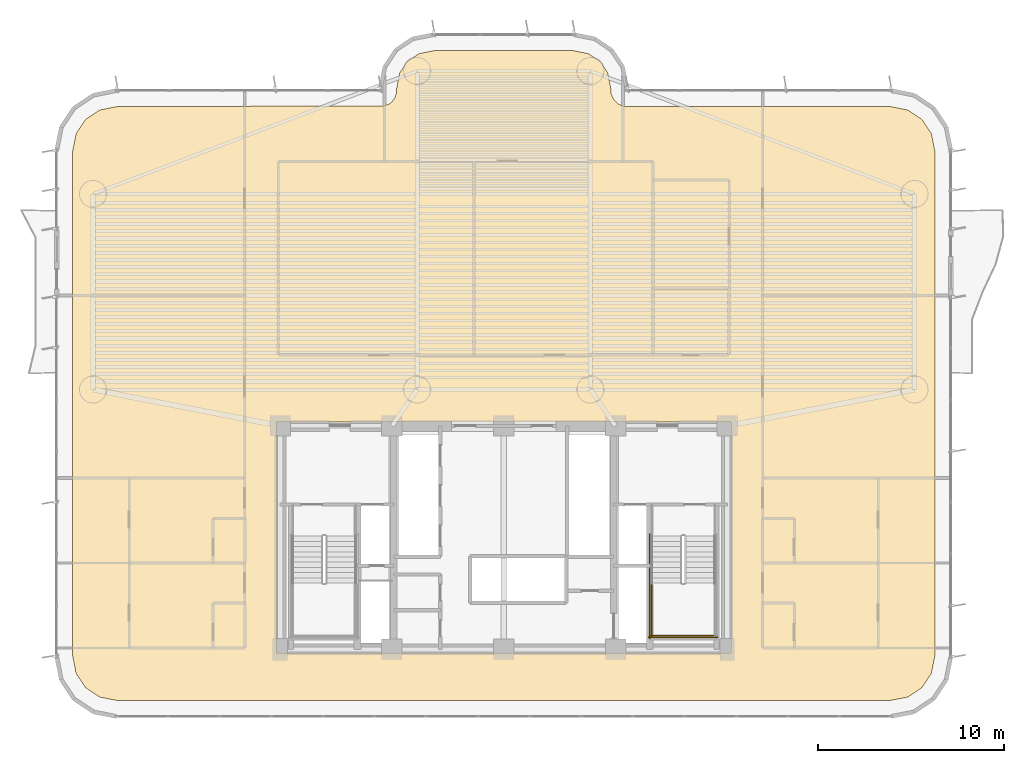
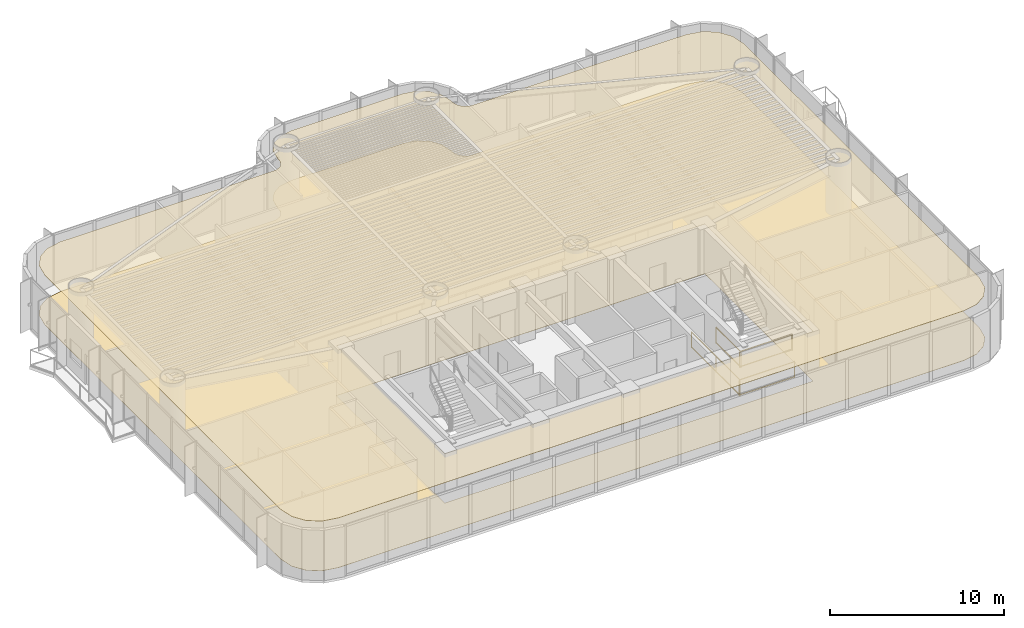
# One storey, part 15 of 17: 4 railings, 2 coverings.
"""IFC4 building model written with IfcOpenShell, lengths in metres."""

import ifcopenshell
import ifcopenshell.guid

model = None  # the IFC model being written
_history = None  # IfcOwnerHistory: only IFC2X3 demands one
_inside = {}  # id of a spatial element -> (the spatial element, [elements in it])
_under = {}  # id of a project, library or spatial element -> (it, [spatial elements below it])
_declared = {}  # id of a project -> (the project, [libraries it declares])
_typed = {}  # id of a type object -> (the type object, [elements of that type])
_made_of = {}  # id of a material, layer set ... -> (it, [elements and type objects made of it])


def new_model(schema):
    """Start an empty IFC model of exactly this schema.

    Asked for "IFC4X3", IfcOpenShell would pick the latest addendum, in which some entities
    have other attributes; the version numbers below select the first issue.
    IFC2X3 requires an IfcOwnerHistory on every rooted entity: one is made here for all.
    """
    global model, _history
    if schema == "IFC4X3":
        model = ifcopenshell.file(schema_version=(4, 3, 0, 0))
    else:
        model = ifcopenshell.file(schema=schema)
    _inside.clear()
    _under.clear()
    _declared.clear()
    _typed.clear()
    _made_of.clear()
    _history = None
    if model.schema == "IFC2X3":
        org = make("IfcOrganization", Name="unknown")
        user = make(
            "IfcPersonAndOrganization",
            ThePerson=make("IfcPerson", FamilyName="unknown"),
            TheOrganization=org,
        )
        app = make(
            "IfcApplication",
            ApplicationDeveloper=org,
            Version="unknown",
            ApplicationFullName="unknown",
            ApplicationIdentifier="unknown",
        )
        _history = make(
            "IfcOwnerHistory",
            OwningUser=user,
            OwningApplication=app,
            ChangeAction="ADDED",
            CreationDate=0,
        )
    return model


def make(cls, **values):
    """One entity of the class cls with the attributes given. An attribute that is None is left unset."""
    return model.create_entity(
        cls, **{name: value for name, value in values.items() if value is not None}
    )


def rooted(cls, **values):
    """An entity with a GlobalId (a new one), such as an element, a storey or a relation."""
    return make(cls, GlobalId=ifcopenshell.guid.new(), OwnerHistory=_history, **values)


def si_unit(unit_type, name, prefix=None):
    """IfcSIUnit, for example si_unit("LENGTHUNIT", "METRE", prefix="MILLI")."""
    return make("IfcSIUnit", UnitType=unit_type, Prefix=prefix, Name=name)


def assignment(units):
    """IfcUnitAssignment: the units of a project."""
    return None if units is None else make("IfcUnitAssignment", Units=units)


def point(xyz):
    """IfcCartesianPoint."""
    return None if xyz is None else make("IfcCartesianPoint", Coordinates=xyz)


def direction(xyz):
    """IfcDirection."""
    return None if xyz is None else make("IfcDirection", DirectionRatios=xyz)


def frame(location, z_axis=None, x_axis=None):
    """IfcAxis2Placement3D, a coordinate frame: its origin and axes. An axis left out is left unset."""
    return make(
        "IfcAxis2Placement3D",
        Location=point(location),
        Axis=direction(z_axis),
        RefDirection=direction(x_axis),
    )


def frame_2d(location, x_axis=None):
    """IfcAxis2Placement2D, a coordinate frame in the plane: its origin and x axis."""
    return make(
        "IfcAxis2Placement2D", Location=point(location), RefDirection=direction(x_axis)
    )


def origin():
    """The frame at (0, 0, 0) with its axes left unset."""
    return frame((0.0, 0.0, 0.0))


def origin_2d():
    """The frame at (0, 0) in the plane with its x axis left unset."""
    return frame_2d((0.0, 0.0))


def place(relative_to, where):
    """IfcLocalPlacement: puts the frame where relative to a parent placement (None: the world)."""
    return make(
        "IfcLocalPlacement", PlacementRelTo=relative_to, RelativePlacement=where
    )


def context(
    kind, dimensions, precision=None, world=None, true_north=None, identifier=None
):
    """IfcGeometricRepresentationContext, for example the 3D "Model" context."""
    return make(
        "IfcGeometricRepresentationContext",
        ContextIdentifier=identifier,
        ContextType=kind,
        CoordinateSpaceDimension=dimensions,
        Precision=precision,
        WorldCoordinateSystem=world,
        TrueNorth=true_north,
    )


def subcontext(parent, identifier, kind, view, scale=None):
    """IfcGeometricRepresentationSubContext, for example "Body" below "Model"."""
    return make(
        "IfcGeometricRepresentationSubContext",
        ContextIdentifier=identifier,
        ContextType=kind,
        ParentContext=parent,
        TargetScale=scale,
        TargetView=view,
    )


def project(units=None, contexts=None):
    """IfcProject with its units and contexts."""
    return rooted(
        "IfcProject",
        Name="project",
        RepresentationContexts=contexts,
        UnitsInContext=assignment(units),
    )


def spatial(cls, under=None, at=None, **own):
    """A site, building, storey or space (cls), placed at a placement, below another one or the project."""
    s = rooted(cls, ObjectPlacement=at, **own)
    if under is not None:
        _under.setdefault(under.id(), (under, []))[1].append(s)
    return s


def polyline(points):
    """IfcPolyline through the points."""
    return make("IfcPolyline", Points=[point(p) for p in points])


def profile(cls, at=None, kind="AREA", **sizes):
    """A parametric profile (cls). Its sizes go by their IFC names, for example OverallWidth=200.0."""
    return make(cls, ProfileType=kind, Position=at, **sizes)


def rectangle(**sizes):
    """IfcRectangleProfileDef."""
    return profile("IfcRectangleProfileDef", **sizes)


def outline(outer, holes=None, kind="AREA"):
    """IfcArbitraryClosedProfileDef: a profile drawn as a closed curve; with holes, ...WithVoids."""
    if holes is None:
        return make("IfcArbitraryClosedProfileDef", ProfileType=kind, OuterCurve=outer)
    return make(
        "IfcArbitraryProfileDefWithVoids",
        ProfileType=kind,
        OuterCurve=outer,
        InnerCurves=holes,
    )


def extrude(swept, where, along, depth):
    """IfcExtrudedAreaSolid: the profile swept, set in the frame where, extruded along a direction by depth."""
    return make(
        "IfcExtrudedAreaSolid",
        SweptArea=swept,
        Position=where,
        ExtrudedDirection=direction(along),
        Depth=depth,
    )


def shape(context_of_items, identifier, shape_type, items):
    """IfcShapeRepresentation: the items that make up one representation, for example the "Body"."""
    return make(
        "IfcShapeRepresentation",
        ContextOfItems=context_of_items,
        RepresentationIdentifier=identifier,
        RepresentationType=shape_type,
        Items=items,
    )


def material(Name=None, Category=None):
    """IfcMaterial."""
    return make("IfcMaterial", Name=Name, Category=Category)


def layer(
    of_material, thickness, ventilated=None, Name=None, Category=None, Priority=None
):
    """IfcMaterialLayer: one layer of a wall or slab, of a material (None: an air gap)."""
    return make(
        "IfcMaterialLayer",
        Material=of_material,
        LayerThickness=thickness,
        IsVentilated=ventilated,
        Name=Name,
        Category=Category,
        Priority=Priority,
    )


def layer_set(layers, Name=None):
    """IfcMaterialLayerSet."""
    return make("IfcMaterialLayerSet", MaterialLayers=layers, LayerSetName=Name)


def made_of(thing, what):
    """Note that an element or type object is made of a material, layer set ...; save() writes the relation."""
    if what is not None:
        _made_of.setdefault(what.id(), (what, []))[1].append(thing)
    return thing


def type_object(cls, material=None, **own):
    """A type object (cls), such as IfcWallType, which elements share."""
    return made_of(rooted(cls, **own), material)


def element(
    cls,
    number,
    at=None,
    inside=None,
    cuts=None,
    type_object=None,
    material=None,
    context=None,
    identifier="Body",
    shape_type=None,
    held_by="IfcProductDefinitionShape",
    body=None,
    shapes=None,
    **own,
):
    """One element of the class cls, such as IfcWall. Its Tag is "e" and its number.

    at: its placement. inside: the storey or other place that contains it. cuts: it is an
    opening in that element (IfcRelVoidsElement). A single representation is given by context,
    identifier, shape_type and body (its items); several are given by shapes. held_by: the class
    of the entity that holds the representations. save() writes the other relations.
    """
    e = rooted(cls, Tag="e%d" % number, ObjectPlacement=at, **own)
    if body is not None:
        shapes = [shape(context, identifier, shape_type, body)]
    if shapes is not None:
        e.Representation = make(held_by, Representations=shapes)
    if inside is not None:
        _inside.setdefault(inside.id(), (inside, []))[1].append(e)
    if cuts is not None:
        rooted(
            "IfcRelVoidsElement", RelatingBuildingElement=cuts, RelatedOpeningElement=e
        )
    if type_object is not None:
        _typed.setdefault(type_object.id(), (type_object, []))[1].append(e)
    return made_of(e, material)


def aggregate(whole, parts):
    """IfcRelAggregates: a whole, such as a stair, and the parts it consists of."""
    return rooted("IfcRelAggregates", RelatingObject=whole, RelatedObjects=parts)


def save(model, path):
    """Write the relations noted so far, then the file.

    IfcRelAggregates (storeys below a building ...), IfcRelContainedInSpatialStructure (elements
    in a storey), IfcRelDefinesByType, IfcRelAssociatesMaterial and IfcRelDeclares: one each for
    every whole, place, type object, material and project.
    """
    for whole, parts in _under.values():
        aggregate(whole, parts)
    for where, things in _inside.values():
        rooted(
            "IfcRelContainedInSpatialStructure",
            RelatedElements=things,
            RelatingStructure=where,
        )
    for kind, things in _typed.values():
        rooted("IfcRelDefinesByType", RelatedObjects=things, RelatingType=kind)
    for what, things in _made_of.values():
        rooted("IfcRelAssociatesMaterial", RelatedObjects=things, RelatingMaterial=what)
    for by, libraries in _declared.values():
        rooted("IfcRelDeclares", RelatingContext=by, RelatedDefinitions=libraries)
    model.write(path)


model = new_model("IFC4")

# Units and contexts
model_context = context("Model", 3, precision=1e-05, world=origin(), true_north=direction((0.0, 1.0)))
body_context = subcontext(model_context, "Body", "Model", "MODEL_VIEW")
ifc_project = project(units=[si_unit("LENGTHUNIT", "METRE"), si_unit("AREAUNIT", "SQUARE_METRE"), si_unit("VOLUMEUNIT", "CUBIC_METRE"), si_unit("PLANEANGLEUNIT", "RADIAN"), si_unit("MASSUNIT", "GRAM", prefix="KILO")], contexts=[model_context])

# Site, building, storey
site_placement = place(None, origin())
site = spatial("IfcSite", under=ifc_project, at=site_placement, CompositionType="ELEMENT")
building_placement = place(site_placement, origin())
building = spatial("IfcBuilding", under=site, at=building_placement, Name="Brelvock Crest Care Tower", CompositionType="ELEMENT")
storey_placement = place(building_placement, frame((0.0, 0.0, 45.89990234375)))
storey = spatial("IfcBuildingStorey", under=building, at=storey_placement, Name="L11", CompositionType="ELEMENT", Elevation=45.89990234375)

# Coverings
ifc_material_1 = material(Name="Mineral Fibre Acoustic Ceiling Tile", Category="gypsum")
ifc_layer_1 = layer(ifc_material_1, 0.02490234375, Name="COV-CLG1")
ifc_layer_set_1 = layer_set([ifc_layer_1], Name="Mineral Fibre Acoustic Ceiling Tile")
covering_type_1 = type_object("IfcCoveringType", Name="COV-CLG1", PredefinedType="CEILING", material=ifc_layer_set_1)
covering_1_placement = place(storey_placement, frame((0.0, 0.0, 3.47509765625)))
element("IfcCovering", 1, at=covering_1_placement, inside=storey, type_object=covering_type_1, Name="L11 Acoustic Suspended Ceiling 1", PredefinedType="CEILING", context=body_context, shape_type="SweptSolid", body=[
    extrude(outline(polyline([(56.71630859375, 35.14990234375), (42.5166015625, 35.154052734375), (42.353271484375, 35.1865234375), (42.127685546875, 35.293212890625), (41.893310546875, 35.52783203125), (41.766357421875, 35.834228515625), (41.75, 36.1162109375), (41.586181640625, 36.939697265625), (41.1669921875, 37.567138671875), (40.539794921875, 37.986083984375), (39.71630859375, 38.14990234375), (32.28369140625, 38.14990234375), (31.460205078125, 37.986083984375), (30.8330078125, 37.567138671875), (30.413818359375, 36.939697265625), (30.25, 36.1162109375), (30.233642578125, 35.834228515625), (30.149658203125, 35.599365234375), (30.0009765625, 35.39892578125), (29.872314453125, 35.293212890625), (29.56591796875, 35.166259765625), (15.28369140625, 35.14990234375), (14.30712890625, 34.955810546875), (13.550048828125, 34.449951171875), (13.044189453125, 33.69287109375), (12.85009765625, 32.71630859375), (12.85009765625, 5.68359375), (13.044189453125, 4.70703125), (13.550048828125, 3.9501953125), (14.30712890625, 3.4443359375), (15.28369140625, 3.25), (56.71630859375, 3.25), (57.69287109375, 3.4443359375), (58.449951171875, 3.9501953125), (58.955810546875, 4.70703125), (59.14990234375, 5.68359375), (59.14990234375, 32.71630859375), (58.955810546875, 33.69287109375), (58.449951171875, 34.449951171875), (57.69287109375, 34.955810546875), (56.71630859375, 35.14990234375)]), holes=[polyline([(48.199951171875, 5.800048828125), (48.199951171875, 18.199951171875), (23.800048828125, 18.199951171875), (23.800048828125, 5.800048828125), (48.199951171875, 5.800048828125)])]), origin(), (0.0, 0.0, 1.0), 0.02490234375),
])
ifc_material_2 = material(Name="Slip-Resistant Acoustic Vinyl Flooring", Category="finish")
ifc_layer_2 = layer(ifc_material_2, 0.014892578125, Name="COV-FLR1")
ifc_layer_set_2 = layer_set([ifc_layer_2], Name="Slip-Resistant Acoustic Vinyl Flooring")
covering_type_2 = type_object("IfcCoveringType", Name="COV-FLR1", PredefinedType="FLOORING", material=ifc_layer_set_2)
covering_2_placement = place(storey_placement, origin())
element("IfcCovering", 2, at=covering_2_placement, inside=storey, type_object=covering_type_2, Name="L11 Slip-Resistant Acoustic Flooring 1", PredefinedType="FLOORING", context=body_context, shape_type="SweptSolid", body=[
    extrude(outline(polyline([(56.71630859375, 35.14990234375), (42.5166015625, 35.154052734375), (42.353271484375, 35.1865234375), (42.127685546875, 35.293212890625), (41.893310546875, 35.52783203125), (41.766357421875, 35.834228515625), (41.75, 36.1162109375), (41.586181640625, 36.939697265625), (41.1669921875, 37.567138671875), (40.539794921875, 37.986083984375), (39.71630859375, 38.14990234375), (32.28369140625, 38.14990234375), (31.460205078125, 37.986083984375), (30.8330078125, 37.567138671875), (30.413818359375, 36.939697265625), (30.25, 36.1162109375), (30.233642578125, 35.834228515625), (30.149658203125, 35.599365234375), (30.0009765625, 35.39892578125), (29.872314453125, 35.293212890625), (29.56591796875, 35.166259765625), (15.28369140625, 35.14990234375), (14.30712890625, 34.955810546875), (13.550048828125, 34.449951171875), (13.044189453125, 33.69287109375), (12.85009765625, 32.71630859375), (12.85009765625, 5.68359375), (13.044189453125, 4.70703125), (13.550048828125, 3.9501953125), (14.30712890625, 3.4443359375), (15.28369140625, 3.25), (56.71630859375, 3.25), (57.69287109375, 3.4443359375), (58.449951171875, 3.9501953125), (58.955810546875, 4.70703125), (59.14990234375, 5.68359375), (59.14990234375, 32.71630859375), (58.955810546875, 33.69287109375), (58.449951171875, 34.449951171875), (57.69287109375, 34.955810546875), (56.71630859375, 35.14990234375)]), holes=[polyline([(48.199951171875, 5.800048828125), (48.199951171875, 18.199951171875), (23.800048828125, 18.199951171875), (23.800048828125, 5.800048828125), (48.199951171875, 5.800048828125)])]), origin(), (0.0, 0.0, 1.0), 0.01513671875),
])

# Railings
ifc_material_3 = material(Name="Steel Grade 350", Category="steel")
ifc_layer_3 = layer(ifc_material_3, 0.050048828125, Name="RL-STG1")
ifc_layer_set_3 = layer_set([ifc_layer_3], Name="Steel Grade 350")
railing_type = type_object("IfcRailingType", Name="RL-STG1", PredefinedType="GUARDRAIL", material=ifc_layer_set_3)
railing_1_placement = place(storey_placement, frame((43.93994140625, 9.56005859375, 1.89013671875)))
element("IfcRailing", 3, at=railing_1_placement, inside=storey, type_object=railing_type, Name="L11 ST-2 stair guard 3", PredefinedType="GUARDRAIL", context=body_context, shape_type="SweptSolid", body=[
    extrude(rectangle(XDim=0.048095703125, YDim=0.048095703125, at=origin_2d()), frame((0.0, -0.001953125, 1.11572265625), z_axis=(0.0, -1.0, 0.0), x_axis=(1.0, 0.0, 0.0)), (0.0, 0.0, 1.0), 2.856201171875),
    extrude(rectangle(XDim=0.048095703125, YDim=0.048095703125, at=origin_2d()), frame((0.0, -0.001953125, 0.054931640625), z_axis=(0.0, -1.0, 0.0), x_axis=(1.0, 0.0, 0.0)), (0.0, 0.0, 1.0), 2.856201171875),
    extrude(rectangle(XDim=0.0419921875, YDim=0.0419921875, at=origin_2d()), origin(), (0.0, 0.0, 1.0), 1.08984375),
    extrude(rectangle(XDim=0.0419921875, YDim=0.0419921875, at=origin_2d()), frame((0.0, -2.860107421875, 0.0)), (0.0, 0.0, 1.0), 1.08984375),
])
railing_2_placement = place(storey_placement, frame((43.889892578125, 6.75, 1.89013671875)))
element("IfcRailing", 4, at=railing_2_placement, inside=storey, type_object=railing_type, Name="L11 ST-2 stair guard 5", PredefinedType="GUARDRAIL", context=body_context, shape_type="SweptSolid", body=[
    extrude(rectangle(XDim=0.048095703125, YDim=0.048095703125, at=origin_2d()), frame((0.001953125, 0.0, 1.11572265625), z_axis=(1.0, 0.0, 0.0), x_axis=(0.0, 1.0, 0.0)), (0.0, 0.0, 1.0), 3.476318359375),
    extrude(rectangle(XDim=0.048095703125, YDim=0.048095703125, at=origin_2d()), frame((0.001953125, 0.0, 0.054931640625), z_axis=(1.0, 0.0, 0.0), x_axis=(0.0, 1.0, 0.0)), (0.0, 0.0, 1.0), 3.476318359375),
    extrude(rectangle(XDim=0.0419921875, YDim=0.0419921875, at=origin_2d()), origin(), (0.0, 0.0, 1.0), 1.08984375),
    extrude(rectangle(XDim=0.0419921875, YDim=0.0419921875, at=origin_2d()), frame((3.480224609375, 0.0, 0.0)), (0.0, 0.0, 1.0), 1.08984375),
])
railing_3_placement = place(storey_placement, frame((43.840087890625, 12.179931640625, 0.0)))
element("IfcRailing", 5, at=railing_3_placement, inside=storey, type_object=railing_type, Name="L11 ST-2 stair guard 10", PredefinedType="GUARDRAIL", context=body_context, shape_type="SweptSolid", body=[
    extrude(rectangle(XDim=0.048095703125, YDim=0.048095703125, at=origin_2d()), frame((0.0, -0.001953125, 1.11572265625), z_axis=(0.0, -1.0, 0.0), x_axis=(1.0, 0.0, 0.0)), (0.0, 0.0, 1.0), 5.575927734375),
    extrude(rectangle(XDim=0.048095703125, YDim=0.048095703125, at=origin_2d()), frame((0.0, -0.001953125, 0.054931640625), z_axis=(0.0, -1.0, 0.0), x_axis=(1.0, 0.0, 0.0)), (0.0, 0.0, 1.0), 5.575927734375),
    extrude(rectangle(XDim=0.0419921875, YDim=0.0419921875, at=origin_2d()), origin(), (0.0, 0.0, 1.0), 1.08984375),
    extrude(rectangle(XDim=0.0419921875, YDim=0.0419921875, at=origin_2d()), frame((0.0, -2.7900390625, 0.0)), (0.0, 0.0, 1.0), 1.08984375),
    extrude(rectangle(XDim=0.0419921875, YDim=0.0419921875, at=origin_2d()), frame((0.0, -5.579833984375, 0.0)), (0.0, 0.0, 1.0), 1.08984375),
])
railing_4_placement = place(storey_placement, frame((43.7900390625, 6.64990234375, 0.0)))
element("IfcRailing", 6, at=railing_4_placement, inside=storey, type_object=railing_type, Name="L11 ST-2 stair guard 12", PredefinedType="GUARDRAIL", context=body_context, shape_type="SweptSolid", body=[
    extrude(rectangle(XDim=0.048095703125, YDim=0.048095703125, at=origin_2d()), frame((0.001953125, 0.0, 1.11572265625), z_axis=(1.0, 0.0, 0.0), x_axis=(0.0, 1.0, 0.0)), (0.0, 0.0, 1.0), 3.676025390625),
    extrude(rectangle(XDim=0.048095703125, YDim=0.048095703125, at=origin_2d()), frame((0.001953125, 0.0, 0.054931640625), z_axis=(1.0, 0.0, 0.0), x_axis=(0.0, 1.0, 0.0)), (0.0, 0.0, 1.0), 3.676025390625),
    extrude(rectangle(XDim=0.0419921875, YDim=0.0419921875, at=origin_2d()), origin(), (0.0, 0.0, 1.0), 1.08984375),
    extrude(rectangle(XDim=0.0419921875, YDim=0.0419921875, at=origin_2d()), frame((3.679931640625, 0.0, 0.0)), (0.0, 0.0, 1.0), 1.08984375),
])

save(model, "model.ifc")
